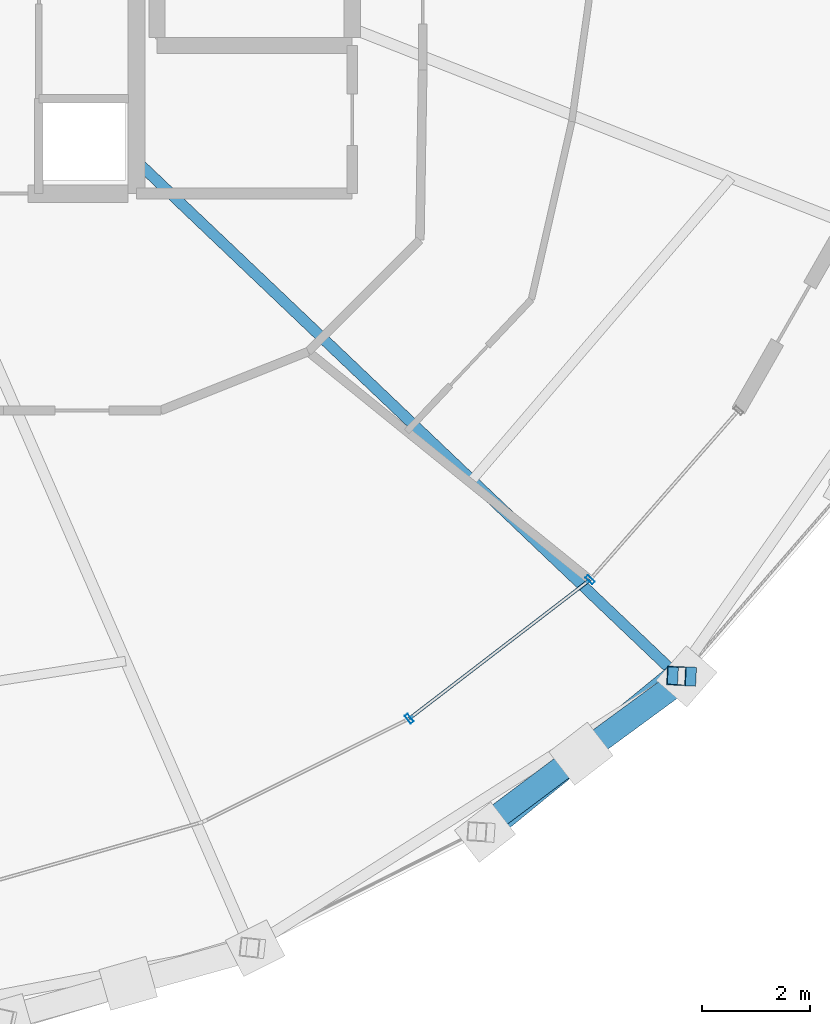
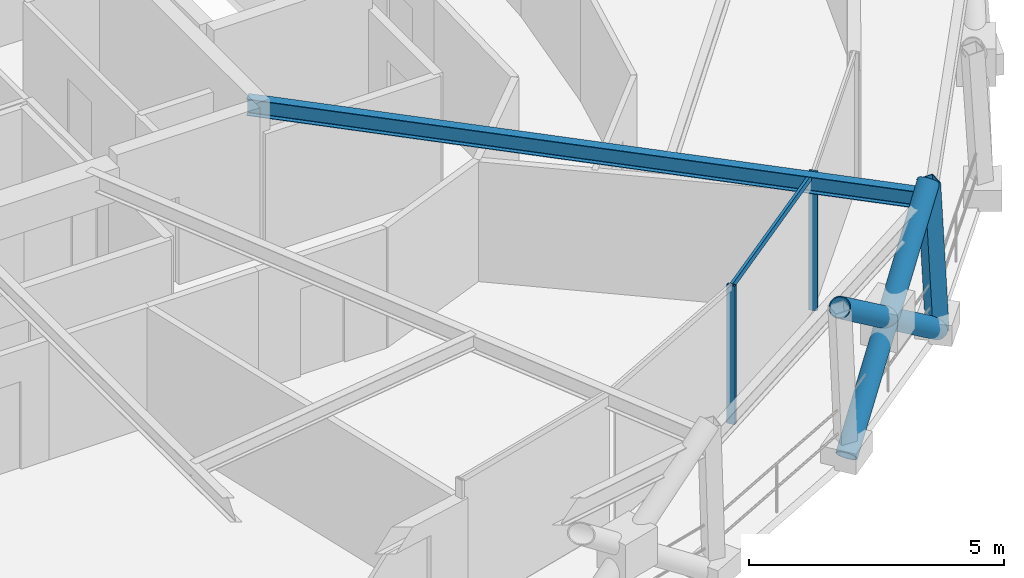
# One storey, part 4 of 17: 7 members, 1 beam, 1 element without a shape of its own.
"""IFC4 building model written with IfcOpenShell, lengths in metres."""

from ifc_helpers import new_model, si_unit, direction, frame, origin, origin_2d, place, context, subcontext, project, spatial, hollow_rectangle, hollow_circle, i_section, extrude, material, layer, layer_set, material_profile, profile_set, type_object, element, aggregate, save


model = new_model("IFC4")

# Units and contexts
model_context = context("Model", 3, precision=1e-05, world=origin(), true_north=direction((0.0, 1.0)))
body_context = subcontext(model_context, "Body", "Model", "MODEL_VIEW")
ifc_project = project(units=[si_unit("LENGTHUNIT", "METRE"), si_unit("AREAUNIT", "SQUARE_METRE"), si_unit("VOLUMEUNIT", "CUBIC_METRE"), si_unit("PLANEANGLEUNIT", "RADIAN"), si_unit("MASSUNIT", "GRAM", prefix="KILO")], contexts=[model_context])

# Site, building, storey
site_placement = place(None, origin())
site = spatial("IfcSite", under=ifc_project, at=site_placement, CompositionType="ELEMENT")
building_placement = place(site_placement, origin())
building = spatial("IfcBuilding", under=site, at=building_placement, Name="Veldorina Hangang Commons", CompositionType="ELEMENT")
storey_placement = place(building_placement, frame((0.0, 0.0, 229.199951171875)))
storey = spatial("IfcBuildingStorey", under=building, at=storey_placement, Name="L59", CompositionType="ELEMENT", Elevation=229.199951171875)

# Beam
ifc_material_1 = material(Name="Steel SM355-TMC", Category="steel")
ifc_material_profile_1 = material_profile(ifc_material_1, i_section(OverallWidth=0.199951171875, OverallDepth=0.39990234375, WebThickness=0.008056640625, FlangeThickness=0.012939453125, FilletRadius=0.012939453125, at=origin_2d()), Name="H-400x200x8x13")
ifc_profile_set_1 = profile_set([ifc_material_profile_1], Name="Steel SM355-TMC")
beam_type = type_object("IfcBeamType", Name="BM-FG400", PredefinedType="BEAM", material=ifc_profile_set_1)
beam_placement = place(storey_placement, frame((39.199951171875, 17.14990234375, 3.16015625), z_axis=(0.724490081705, -0.689285225078, 0.0), x_axis=(0.689285225078, 0.724490081705, 0.0)))
element("IfcBeam", 1, at=beam_placement, inside=storey, type_object=beam_type, Name="L59 radial floor girder 15", PredefinedType="BEAM", context=body_context, shape_type="SweptSolid", body=[
    extrude(i_section(OverallWidth=0.199951171875, OverallDepth=0.39990234375, WebThickness=0.008056640625, FlangeThickness=0.012939453125, FilletRadius=0.012939453125, at=origin_2d()), origin(), (0.0, 0.0, 1.0), 13.779541015625),
])

# Curtain wall, members
ifc_material_2 = material(Name="Glass Low-E Selective", Category="glass")
ifc_layer = layer(ifc_material_2, 0.179931640625)
ifc_layer_set = layer_set([ifc_layer], Name="Glass Low-E Selective")
curtain_wall_type = type_object("IfcCurtainWallType", Name="CW-SYS-Z3", PredefinedType="NOTDEFINED", material=ifc_layer_set)
curtain_wall_placement = place(storey_placement, origin())
curtain_wall = element("IfcCurtainWall", 2, at=curtain_wall_placement, inside=storey, type_object=curtain_wall_type, Name="L59 unitised curtain wall CW-L59-R1", PredefinedType="NOTDEFINED")
ifc_material_3 = material(Name="Aluminium Anodized AA6063-T6", Category="aluminium")
ifc_material_profile_2 = material_profile(ifc_material_3, hollow_rectangle(XDim=0.070068359375, YDim=0.179931640625, WallThickness=0.00390625, at=origin_2d()), Name="ALU-RHS-180x70x4")
ifc_profile_set_2 = profile_set([ifc_material_profile_2], Name="Aluminium Anodized AA6063-T6")
member_type_1 = type_object("IfcMemberType", Name="CW-MUL-180", PredefinedType="MULLION", material=ifc_profile_set_2)
member_1_placement = place(storey_placement, frame((44.230224609375, 6.86328125, 0.0), z_axis=(0.0, 0.0, 1.0), x_axis=(0.792970687628, 0.609259787416, 0.0)))
member_1 = element("IfcMember", 3, at=member_1_placement, type_object=member_type_1, Name="CW-L59-R1 vertical mullion 2", PredefinedType="MULLION", context=body_context, shape_type="SweptSolid", body=[
    extrude(hollow_rectangle(XDim=0.070068359375, YDim=0.179931640625, WallThickness=0.00390625, at=origin_2d()), origin(), (0.0, 0.0, 1.0), 3.320068359375),
])
member_2_placement = place(storey_placement, frame((47.566162109375, 9.42626953125, 0.0), z_axis=(0.0, 0.0, 1.0), x_axis=(0.659188335679, 0.751977884053, 0.0)))
member_2 = element("IfcMember", 4, at=member_2_placement, type_object=member_type_1, Name="CW-L59-R1 vertical mullion 3", PredefinedType="MULLION", context=body_context, shape_type="SweptSolid", body=[
    extrude(hollow_rectangle(XDim=0.070068359375, YDim=0.179931640625, WallThickness=0.00390625, at=origin_2d()), origin(), (0.0, 0.0, 1.0), 3.320068359375),
])
ifc_material_profile_3 = material_profile(ifc_material_3, hollow_rectangle(XDim=0.06005859375, YDim=0.139892578125, WallThickness=0.00341796875, at=origin_2d()), Name="ALU-RHS-140x60x3.5")
ifc_profile_set_3 = profile_set([ifc_material_profile_3], Name="Aluminium Anodized AA6063-T6")
member_type_2 = type_object("IfcMemberType", Name="CW-TRN-140", PredefinedType="USERDEFINED", material=ifc_profile_set_3)
member_3_placement = place(storey_placement, frame((44.230224609375, 6.86328125, 3.280029296875), z_axis=(0.792981982844, 0.609245086058, 0.0), x_axis=(-0.609245086058, 0.792981982844, 0.0)))
member_3 = element("IfcMember", 5, at=member_3_placement, type_object=member_type_2, Name="CW-L59-R1 facet 3 transom 1", ObjectType="TRANSOM", PredefinedType="USERDEFINED", context=body_context, shape_type="SweptSolid", body=[
    extrude(hollow_rectangle(XDim=0.06005859375, YDim=0.139892578125, WallThickness=0.00341796875, at=origin_2d()), origin(), (0.0, 0.0, 1.0), 4.206787109375),
])
aggregate(curtain_wall, [member_1, member_2, member_3])

# Members
ifc_material_profile_4 = material_profile(ifc_material_1, hollow_circle(Radius=0.22509765625, WallThickness=0.02197265625, at=origin_2d()), Name="CHS-450x22")
ifc_profile_set_4 = profile_set([ifc_material_profile_4], Name="Steel SM355-TMC")
member_type_3 = type_object("IfcMemberType", Name="DG-CHS450", PredefinedType="BRACE", material=ifc_profile_set_4)
member_4_placement = place(storey_placement, frame((45.63037109375, 4.767822265625, 0.0), z_axis=(0.607478999023, 0.496760781238, 0.61983706889), x_axis=(-0.633033584026, 0.774124332065, 0.0)))
element("IfcMember", 6, at=member_4_placement, inside=storey, type_object=member_type_3, Name="L59 continuous perimeter diagrid brace 27", PredefinedType="BRACE", context=body_context, shape_type="SweptSolid", body=[
    extrude(hollow_circle(Radius=0.22509765625, WallThickness=0.02197265625, at=origin_2d()), origin(), (0.0, 0.0, 1.0), 5.80810546875),
])
member_5_placement = place(storey_placement, frame((49.34814453125, 7.644287109375, 0.0), z_axis=(-0.645696893612, -0.473689133937, 0.59891078298), x_axis=(0.591508259881, -0.806298938665, 0.0)))
element("IfcMember", 7, at=member_5_placement, inside=storey, type_object=member_type_3, Name="L59 split perimeter diagrid lower brace 28", PredefinedType="BRACE", context=body_context, shape_type="SweptSolid", body=[
    extrude(hollow_circle(Radius=0.22509765625, WallThickness=0.02197265625, at=origin_2d()), origin(), (0.0, 0.0, 1.0), 3.01611328125),
])
member_6_placement = place(storey_placement, frame((47.400634765625, 6.215576171875, 1.806396484375), z_axis=(-0.640878723103, -0.480108739391, 0.598974173596), x_axis=(0.599560089391, -0.800329744049, 0.0)))
element("IfcMember", 8, at=member_6_placement, inside=storey, type_object=member_type_3, Name="L59 split perimeter diagrid upper brace 28", PredefinedType="BRACE", context=body_context, shape_type="SweptSolid", body=[
    extrude(hollow_circle(Radius=0.22509765625, WallThickness=0.02197265625, at=origin_2d()), origin(), (0.0, 0.0, 1.0), 2.99462890625),
])
ifc_material_profile_5 = material_profile(ifc_material_1, hollow_rectangle(XDim=0.35009765625, YDim=0.35009765625, WallThickness=0.01611328125, at=origin_2d()), Name="SHS-350x350x16")
ifc_profile_set_5 = profile_set([ifc_material_profile_5], Name="Steel SM355-TMC")
member_type_4 = type_object("IfcMemberType", Name="STR-SHS350", PredefinedType="STRUT", material=ifc_profile_set_5)
member_7_placement = place(storey_placement, frame((49.34814453125, 7.644287109375, 0.0), z_axis=(-0.052551568082, 0.002437959344, 0.998615235737), x_axis=(-0.046341910972, -0.998925636515, 0.0)))
element("IfcMember", 9, at=member_7_placement, inside=storey, type_object=member_type_4, Name="L59 perimeter ring node post 28", PredefinedType="STRUT", context=body_context, shape_type="SweptSolid", body=[
    extrude(hollow_rectangle(XDim=0.35009765625, YDim=0.35009765625, WallThickness=0.01611328125, at=origin_2d()), origin(), (0.0, 0.0, 1.0), 3.60498046875),
])

save(model, "model.ifc")
